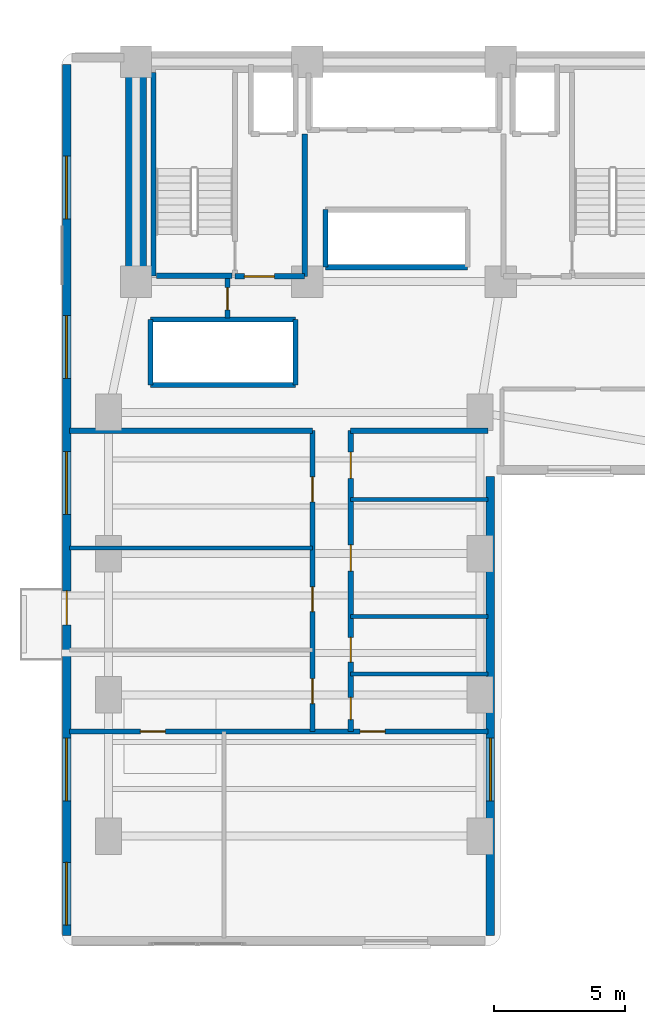
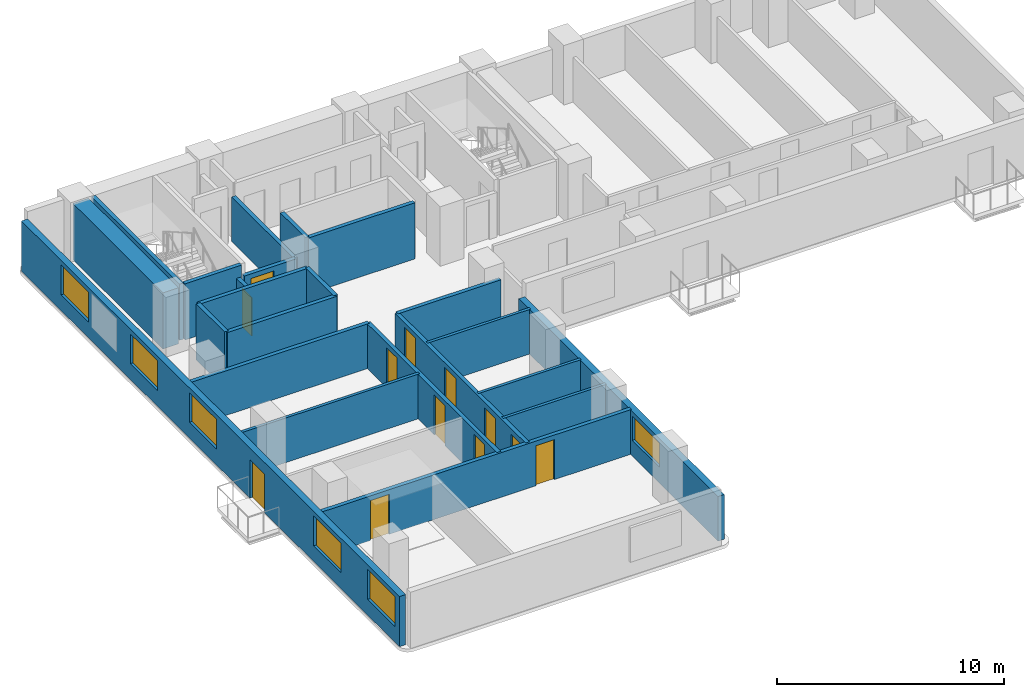
# One storey, part 10 of 17: 23 walls, 12 doors, 6 windows, 18 openings.
"""IFC4 building model written with IfcOpenShell, lengths in metres."""

from ifc_helpers import new_model, si_unit, direction, frame, frame_2d, origin, place, context, subcontext, project, spatial, rectangle, extrude, material, layer, layer_set, type_object, element, fill, save


model = new_model("IFC4")

# Units and contexts
model_context = context("Model", 3, precision=1e-05, world=origin(), true_north=direction((0.0, 1.0)))
body_context = subcontext(model_context, "Body", "Model", "MODEL_VIEW")
ifc_project = project(units=[si_unit("LENGTHUNIT", "METRE"), si_unit("AREAUNIT", "SQUARE_METRE"), si_unit("VOLUMEUNIT", "CUBIC_METRE"), si_unit("PLANEANGLEUNIT", "RADIAN"), si_unit("MASSUNIT", "GRAM", prefix="KILO")], contexts=[model_context])

# Site, building, storey
site_placement = place(None, origin())
site = spatial("IfcSite", under=ifc_project, at=site_placement, CompositionType="ELEMENT")
building_placement = place(site_placement, origin())
building = spatial("IfcBuilding", under=site, at=building_placement, Name="Kuzgunbayir Cultural Tower", CompositionType="ELEMENT")
storey_placement = place(building_placement, frame((0.0, 0.0, 56.39990234375)))
storey = spatial("IfcBuildingStorey", under=building, at=storey_placement, Name="L15", CompositionType="ELEMENT", Elevation=56.39990234375)

# Wall
ifc_material_1 = material(Name="Concrete C60/75", Category="concrete")
ifc_layer_1 = layer(ifc_material_1, 0.800048828125)
ifc_layer_set_1 = layer_set([ifc_layer_1], Name="Concrete C60/75")
wall_type_1 = type_object("IfcWallType", Name="WAL-CORE-800", PredefinedType="SHEAR", material=ifc_layer_set_1)
wall_1_placement = place(storey_placement, frame((6.449951171875, 33.800048828125, 0.0), z_axis=(0.0, 0.0, 1.0), x_axis=(0.0, 1.0, 0.0)))
element("IfcWall", 1, at=wall_1_placement, inside=storey, type_object=wall_type_1, Name="L15 T1 Core West Shear Wall", PredefinedType="SHEAR", context=body_context, shape_type="SweptSolid", body=[
    extrude(rectangle(XDim=7.949951171875, YDim=0.800048828125, at=frame_2d((3.97509765625, 0.0))), origin(), (0.0, 0.0, 1.0), 3.02001953125),
])

# Wall, openings, door, windows
ifc_material_2 = material(Name="Travertine Buff Ashlar", Category="masonry")
ifc_layer_2 = layer(ifc_material_2, 0.320068359375)
ifc_layer_set_2 = layer_set([ifc_layer_2], Name="Travertine Buff Ashlar")
wall_type_2 = type_object("IfcWallType", Name="WAL-EXT-STONE-320", PredefinedType="STANDARD", material=ifc_layer_set_2)
wall_2_placement = place(storey_placement, frame((3.800048828125, 42.10009765625, 0.0), z_axis=(0.0, 0.0, 1.0), x_axis=(0.0, -1.0, 0.0)))
wall_2 = element("IfcWall", 2, at=wall_2_placement, inside=storey, type_object=wall_type_2, Name="L15 Wing A West Limestone Wall", PredefinedType="STANDARD", context=body_context, shape_type="SweptSolid", body=[
    extrude(rectangle(XDim=33.300048828125, YDim=0.320068359375, at=frame_2d((16.64990234375, 0.0))), origin(), (0.0, 0.0, 1.0), 2.7001953125),
])
opening_1_placement = place(wall_2_placement, frame((20.1201171875, 0.0, 0.0)))
opening_1 = element("IfcOpeningElement", 3, at=opening_1_placement, cuts=wall_2, Name="Opening BD-13", PredefinedType="OPENING", context=body_context, shape_type="SweptSolid", body=[
    extrude(rectangle(XDim=1.300048828125, YDim=2.080078125, at=frame_2d((0.64990234375, 1.0400390625))), frame((0.0, 0.169921875, 0.0), z_axis=(0.0, -1.0, 0.0), x_axis=(1.0, 0.0, 0.0)), (0.0, 0.0, 1.0), 0.340087890625),
])
opening_2_placement = place(wall_2_placement, frame((30.5, 0.0, 0.85009765625)))
opening_2 = element("IfcOpeningElement", 4, at=opening_2_placement, cuts=wall_2, Name="Opening WO-24", PredefinedType="OPENING", context=body_context, shape_type="SweptSolid", body=[
    extrude(rectangle(XDim=2.39990234375, YDim=1.60009765625, at=frame_2d((1.199951171875, 0.800048828125))), frame((0.0, 0.169921875, 0.0), z_axis=(0.0, -1.0, 0.0), x_axis=(1.0, 0.0, 0.0)), (0.0, 0.0, 1.0), 0.340087890625),
])
opening_3_placement = place(wall_2_placement, frame((25.75, 0.0, 0.85009765625)))
opening_3 = element("IfcOpeningElement", 5, at=opening_3_placement, cuts=wall_2, Name="Opening WO-24", PredefinedType="OPENING", context=body_context, shape_type="SweptSolid", body=[
    extrude(rectangle(XDim=2.39990234375, YDim=1.60009765625, at=frame_2d((1.199951171875, 0.800048828125))), frame((0.0, 0.169921875, 0.0), z_axis=(0.0, -1.0, 0.0), x_axis=(1.0, 0.0, 0.0)), (0.0, 0.0, 1.0), 0.340087890625),
])
opening_4_placement = place(wall_2_placement, frame((14.800048828125, 0.0, 0.85009765625)))
opening_4 = element("IfcOpeningElement", 6, at=opening_4_placement, cuts=wall_2, Name="Opening WO-24", PredefinedType="OPENING", context=body_context, shape_type="SweptSolid", body=[
    extrude(rectangle(XDim=2.39990234375, YDim=1.60009765625, at=frame_2d((1.199951171875, 0.800048828125))), frame((0.0, 0.169921875, 0.0), z_axis=(0.0, -1.0, 0.0), x_axis=(1.0, 0.0, 0.0)), (0.0, 0.0, 1.0), 0.340087890625),
])
opening_5_placement = place(wall_2_placement, frame((9.60009765625, 0.0, 0.85009765625)))
opening_5 = element("IfcOpeningElement", 7, at=opening_5_placement, cuts=wall_2, Name="Opening WO-24", PredefinedType="OPENING", context=body_context, shape_type="SweptSolid", body=[
    extrude(rectangle(XDim=2.39990234375, YDim=1.60009765625, at=frame_2d((1.199951171875, 0.800048828125))), frame((0.0, 0.169921875, 0.0), z_axis=(0.0, -1.0, 0.0), x_axis=(1.0, 0.0, 0.0)), (0.0, 0.0, 1.0), 0.340087890625),
])
opening_6_placement = place(wall_2_placement, frame((3.5, 0.0, 0.85009765625)))
opening_6 = element("IfcOpeningElement", 8, at=opening_6_placement, cuts=wall_2, Name="Opening WO-24", PredefinedType="OPENING", context=body_context, shape_type="SweptSolid", body=[
    extrude(rectangle(XDim=2.39990234375, YDim=1.60009765625, at=frame_2d((1.199951171875, 0.800048828125))), frame((0.0, 0.169921875, 0.0), z_axis=(0.0, -1.0, 0.0), x_axis=(1.0, 0.0, 0.0)), (0.0, 0.0, 1.0), 0.340087890625),
])
ifc_material_3 = material(Name="Thermally Broken Glazed Aluminium", Category="aluminium")
door_type_1 = type_object("IfcDoorType", Name="DR-BALCONY-135", OperationType="SLIDING_TO_LEFT", PredefinedType="DOOR", material=ifc_material_3)
door_1_placement = place(opening_1_placement, origin())
door_1 = element("IfcDoor", 9, at=door_1_placement, inside=storey, type_object=door_type_1, Name="L15 West Balcony Sliding Door BAL-L15-WA2", OperationType="SLIDING_TO_LEFT", OverallHeight=2.080078125, OverallWidth=1.300048828125, PredefinedType="DOOR", context=body_context, shape_type="SweptSolid", body=[
    extrude(rectangle(XDim=1.300048828125, YDim=2.080078125, at=frame_2d((0.64990234375, 1.0400390625))), frame((0.0, 0.02490234375, 0.0), z_axis=(0.0, -1.0, 0.0), x_axis=(1.0, 0.0, 0.0)), (0.0, 0.0, 1.0), 0.050048828125),
])
fill(opening_1, door_1)
ifc_material_4 = material(Name="Solar-Control Triple Glazing", Category="glass")
window_type = type_object("IfcWindowType", Name="WIN-OFFICE-24", PartitioningType="SINGLE_PANEL", PredefinedType="WINDOW", material=ifc_material_4)
window_1_placement = place(opening_2_placement, origin())
window_1 = element("IfcWindow", 10, at=window_1_placement, inside=storey, type_object=window_type, Name="L15 WAW Facade Window 1", OverallHeight=1.60009765625, OverallWidth=2.39990234375, PartitioningType="SINGLE_PANEL", PredefinedType="WINDOW", context=body_context, shape_type="SweptSolid", body=[
    extrude(rectangle(XDim=2.39990234375, YDim=1.60009765625, at=frame_2d((1.199951171875, 0.800048828125))), frame((0.0, 0.030029296875, 0.0), z_axis=(0.0, -1.0, 0.0), x_axis=(1.0, 0.0, 0.0)), (0.0, 0.0, 1.0), 0.06005859375),
])
fill(opening_2, window_1)
window_2_placement = place(opening_3_placement, origin())
window_2 = element("IfcWindow", 11, at=window_2_placement, inside=storey, type_object=window_type, Name="L15 WAW Facade Window 2", OverallHeight=1.60009765625, OverallWidth=2.39990234375, PartitioningType="SINGLE_PANEL", PredefinedType="WINDOW", context=body_context, shape_type="SweptSolid", body=[
    extrude(rectangle(XDim=2.39990234375, YDim=1.60009765625, at=frame_2d((1.199951171875, 0.800048828125))), frame((0.0, 0.030029296875, 0.0), z_axis=(0.0, -1.0, 0.0), x_axis=(1.0, 0.0, 0.0)), (0.0, 0.0, 1.0), 0.06005859375),
])
fill(opening_3, window_2)
window_3_placement = place(opening_4_placement, origin())
window_3 = element("IfcWindow", 12, at=window_3_placement, inside=storey, type_object=window_type, Name="L15 WAW Facade Window 3", OverallHeight=1.60009765625, OverallWidth=2.39990234375, PartitioningType="SINGLE_PANEL", PredefinedType="WINDOW", context=body_context, shape_type="SweptSolid", body=[
    extrude(rectangle(XDim=2.39990234375, YDim=1.60009765625, at=frame_2d((1.199951171875, 0.800048828125))), frame((0.0, 0.030029296875, 0.0), z_axis=(0.0, -1.0, 0.0), x_axis=(1.0, 0.0, 0.0)), (0.0, 0.0, 1.0), 0.06005859375),
])
fill(opening_4, window_3)
window_4_placement = place(opening_5_placement, origin())
window_4 = element("IfcWindow", 13, at=window_4_placement, inside=storey, type_object=window_type, Name="L15 WAW Facade Window 4", OverallHeight=1.60009765625, OverallWidth=2.39990234375, PartitioningType="SINGLE_PANEL", PredefinedType="WINDOW", context=body_context, shape_type="SweptSolid", body=[
    extrude(rectangle(XDim=2.39990234375, YDim=1.60009765625, at=frame_2d((1.199951171875, 0.800048828125))), frame((0.0, 0.030029296875, 0.0), z_axis=(0.0, -1.0, 0.0), x_axis=(1.0, 0.0, 0.0)), (0.0, 0.0, 1.0), 0.06005859375),
])
fill(opening_5, window_4)
window_5_placement = place(opening_6_placement, origin())
window_5 = element("IfcWindow", 14, at=window_5_placement, inside=storey, type_object=window_type, Name="L15 WAW Facade Window 5", OverallHeight=1.60009765625, OverallWidth=2.39990234375, PartitioningType="SINGLE_PANEL", PredefinedType="WINDOW", context=body_context, shape_type="SweptSolid", body=[
    extrude(rectangle(XDim=2.39990234375, YDim=1.60009765625, at=frame_2d((1.199951171875, 0.800048828125))), frame((0.0, 0.030029296875, 0.0), z_axis=(0.0, -1.0, 0.0), x_axis=(1.0, 0.0, 0.0)), (0.0, 0.0, 1.0), 0.06005859375),
])
fill(opening_6, window_5)

# Wall, opening, window
wall_3_placement = place(storey_placement, frame((20.0, 8.800048828125, 0.0), z_axis=(0.0, 0.0, 1.0), x_axis=(0.0, 1.0, 0.0)))
wall_3 = element("IfcWall", 15, at=wall_3_placement, inside=storey, type_object=wall_type_2, Name="L15 Wing A East Limestone Wall", PredefinedType="STANDARD", context=body_context, shape_type="SweptSolid", body=[
    extrude(rectangle(XDim=17.550048828125, YDim=0.320068359375, at=frame_2d((8.77490234375, 0.0))), origin(), (0.0, 0.0, 1.0), 2.400146484375),
])
opening_7_placement = place(wall_3_placement, frame((5.14990234375, 0.0, 0.85009765625)))
opening_7 = element("IfcOpeningElement", 16, at=opening_7_placement, cuts=wall_3, Name="Opening WO-24", PredefinedType="OPENING", context=body_context, shape_type="SweptSolid", body=[
    extrude(rectangle(XDim=2.39990234375, YDim=1.300048828125, at=frame_2d((1.199951171875, 0.64990234375))), frame((0.0, 0.169921875, 0.0), z_axis=(0.0, -1.0, 0.0), x_axis=(1.0, 0.0, 0.0)), (0.0, 0.0, 1.0), 0.340087890625),
])
window_6_placement = place(opening_7_placement, origin())
window_6 = element("IfcWindow", 17, at=window_6_placement, inside=storey, type_object=window_type, Name="L15 WAE Facade Window 6", OverallHeight=1.300048828125, OverallWidth=2.39990234375, PartitioningType="SINGLE_PANEL", PredefinedType="WINDOW", context=body_context, shape_type="SweptSolid", body=[
    extrude(rectangle(XDim=2.39990234375, YDim=1.300048828125, at=frame_2d((1.199951171875, 0.64990234375))), frame((0.0, 0.030029296875, 0.0), z_axis=(0.0, -1.0, 0.0), x_axis=(1.0, 0.0, 0.0)), (0.0, 0.0, 1.0), 0.06005859375),
])
fill(opening_7, window_6)

# Walls
ifc_material_5 = material(Name="Acoustic Double-Stud Drywall", Category="gypsum")
ifc_layer_3 = layer(ifc_material_5, 0.14990234375)
ifc_layer_set_3 = layer_set([ifc_layer_3], Name="Acoustic Double-Stud Drywall")
wall_type_3 = type_object("IfcWallType", Name="WAL-PART-ACOUSTIC-150", PredefinedType="PARTITIONING", material=ifc_layer_set_3)
wall_4_placement = place(storey_placement, frame((3.89990234375, 23.6201171875, 0.0), z_axis=(0.0, 0.0, 1.0), x_axis=(1.0, 0.0, 0.0)))
element("IfcWall", 18, at=wall_4_placement, inside=storey, type_object=wall_type_3, Name="L15 West Suite Partition 2", PredefinedType="PARTITIONING", context=body_context, shape_type="SweptSolid", body=[
    extrude(rectangle(XDim=9.300048828125, YDim=0.14990234375, at=frame_2d((4.64990234375, 0.0))), origin(), (0.0, 0.0, 1.0), 2.400146484375),
])
wall_5_placement = place(storey_placement, frame((14.659912109375, 25.469970703125, 0.0), z_axis=(0.0, 0.0, 1.0), x_axis=(1.0, 0.0, 0.0)))
element("IfcWall", 19, at=wall_5_placement, inside=storey, type_object=wall_type_3, Name="L15 East Studio Divider 1", PredefinedType="PARTITIONING", context=body_context, shape_type="SweptSolid", body=[
    extrude(rectangle(XDim=5.239990234375, YDim=0.14990234375, at=frame_2d((2.6201171875, 0.0))), origin(), (0.0, 0.0, 1.0), 2.400146484375),
])
ifc_material_6 = material(Name="Aerated Concrete Blockwork", Category="masonry")
ifc_layer_4 = layer(ifc_material_6, 0.199951171875)
ifc_layer_set_4 = layer_set([ifc_layer_4], Name="Aerated Concrete Blockwork")
wall_type_4 = type_object("IfcWallType", Name="WAL-PART-FIRE-200", PredefinedType="PARTITIONING", material=ifc_layer_set_4)
wall_6_placement = place(storey_placement, frame((12.89990234375, 34.0, 0.0), z_axis=(0.0, 0.0, 1.0), x_axis=(0.0, 1.0, 0.0)))
element("IfcWall", 20, at=wall_6_placement, inside=storey, type_object=wall_type_4, Name="L15 FFL-1 Lobby East Fire Wall", PredefinedType="PARTITIONING", context=body_context, shape_type="SweptSolid", body=[
    extrude(rectangle(XDim=5.449951171875, YDim=0.199951171875, at=frame_2d((2.72509765625, 0.0))), origin(), (0.0, 0.0, 1.0), 2.400146484375),
])

# Wall, opening, door
wall_7_placement = place(storey_placement, frame((10.239990234375, 34.0, 0.0), z_axis=(0.0, 0.0, 1.0), x_axis=(1.0, 0.0, 0.0)))
wall_7 = element("IfcWall", 21, at=wall_7_placement, inside=storey, type_object=wall_type_4, Name="L15 FFL-1 Lobby South Fire Wall", PredefinedType="PARTITIONING", context=body_context, shape_type="SweptSolid", body=[
    extrude(rectangle(XDim=2.659912109375, YDim=0.199951171875, at=frame_2d((1.330078125, 0.0))), origin(), (0.0, 0.0, 1.0), 2.400146484375),
])
opening_8_placement = place(wall_7_placement, frame((0.35009765625, 0.0, 0.0)))
opening_8 = element("IfcOpeningElement", 22, at=opening_8_placement, cuts=wall_7, Name="Opening DR-FFL-90", PredefinedType="OPENING", context=body_context, shape_type="SweptSolid", body=[
    extrude(rectangle(XDim=1.14990234375, YDim=2.14990234375, at=frame_2d((0.574951171875, 1.074951171875))), frame((0.0, 0.10986328125, 0.0), z_axis=(0.0, -1.0, 0.0), x_axis=(1.0, 0.0, 0.0)), (0.0, 0.0, 1.0), 0.219970703125),
])
ifc_material_7 = material(Name="Steel S355J2", Category="steel")
door_type_2 = type_object("IfcDoorType", Name="DR-FFL-90", OperationType="NOTDEFINED", PredefinedType="DOOR", material=ifc_material_7)
door_2_placement = place(opening_8_placement, origin())
door_2 = element("IfcDoor", 23, at=door_2_placement, inside=storey, type_object=door_type_2, Name="L15 Firefighting Lobby 1 Door", OperationType="SINGLE_SWING_LEFT", OverallHeight=2.14990234375, OverallWidth=1.14990234375, PredefinedType="DOOR", context=body_context, shape_type="SweptSolid", body=[
    extrude(rectangle(XDim=1.14990234375, YDim=2.14990234375, at=frame_2d((0.574951171875, 1.074951171875))), frame((0.0, 0.02490234375, 0.0), z_axis=(0.0, -1.0, 0.0), x_axis=(1.0, 0.0, 0.0)), (0.0, 0.0, 1.0), 0.050048828125),
])
fill(opening_8, door_2)

wall_8_placement = place(storey_placement, frame((9.949951171875, 32.39990234375, 0.0), z_axis=(0.0, 0.0, 1.0), x_axis=(0.0, 1.0, 0.0)))
wall_8 = element("IfcWall", 24, at=wall_8_placement, inside=storey, type_object=wall_type_4, Name="L15 West Core Service Closet Wall", PredefinedType="PARTITIONING", context=body_context, shape_type="SweptSolid", body=[
    extrude(rectangle(XDim=1.52001953125, YDim=0.199951171875, at=frame_2d((0.760009765625, 0.0))), origin(), (0.0, 0.0, 1.0), 2.400146484375),
])
opening_9_placement = place(wall_8_placement, frame((0.320068359375, 0.0, 0.0)))
opening_9 = element("IfcOpeningElement", 25, at=opening_9_placement, cuts=wall_8, Name="Opening DR-RSR-60", PredefinedType="OPENING", context=body_context, shape_type="SweptSolid", body=[
    extrude(rectangle(XDim=0.85009765625, YDim=2.050048828125, at=frame_2d((0.425048828125, 1.02490234375))), frame((0.0, 0.10986328125, 0.0), z_axis=(0.0, -1.0, 0.0), x_axis=(1.0, 0.0, 0.0)), (0.0, 0.0, 1.0), 0.219970703125),
])
ifc_material_8 = material(Name="Steel Access Leaf", Category="steel")
door_type_3 = type_object("IfcDoorType", Name="DR-RISER-60", OperationType="NOTDEFINED", PredefinedType="DOOR", material=ifc_material_8)
door_3_placement = place(opening_9_placement, origin())
door_3 = element("IfcDoor", 26, at=door_3_placement, inside=storey, type_object=door_type_3, Name="L15 Cleaner Utility Store Door", OperationType="SINGLE_SWING_LEFT", OverallHeight=2.050048828125, OverallWidth=0.85009765625, PredefinedType="DOOR", context=body_context, shape_type="SweptSolid", body=[
    extrude(rectangle(XDim=0.85009765625, YDim=2.050048828125, at=frame_2d((0.425048828125, 1.02490234375))), frame((0.0, 0.02490234375, 0.0), z_axis=(0.0, -1.0, 0.0), x_axis=(1.0, 0.0, 0.0)), (0.0, 0.0, 1.0), 0.050048828125),
])
fill(opening_9, door_3)

# Wall, openings, doors
wall_9_placement = place(storey_placement, frame((13.199951171875, 16.60009765625, 0.0), z_axis=(0.0, 0.0, 1.0), x_axis=(0.0, 1.0, 0.0)))
wall_9 = element("IfcWall", 27, at=wall_9_placement, inside=storey, type_object=wall_type_4, Name="L15 Wing A West Corridor Wall", PredefinedType="PARTITIONING", context=body_context, shape_type="SweptSolid", body=[
    extrude(rectangle(XDim=11.5, YDim=0.199951171875, at=frame_2d((5.75, 0.0))), origin(), (0.0, 0.0, 1.0), 2.400146484375),
])
opening_10_placement = place(wall_9_placement, frame((1.070068359375, 0.0, 0.0)))
opening_10 = element("IfcOpeningElement", 28, at=opening_10_placement, cuts=wall_9, Name="Opening DI-90", PredefinedType="OPENING", context=body_context, shape_type="SweptSolid", body=[
    extrude(rectangle(XDim=0.949951171875, YDim=2.14990234375, at=frame_2d((0.47509765625, 1.074951171875))), frame((0.0, 0.10986328125, 0.0), z_axis=(0.0, -1.0, 0.0), x_axis=(1.0, 0.0, 0.0)), (0.0, 0.0, 1.0), 0.219970703125),
])
opening_11_placement = place(wall_9_placement, frame((4.580078125, 0.0, 0.0)))
opening_11 = element("IfcOpeningElement", 29, at=opening_11_placement, cuts=wall_9, Name="Opening DI-90", PredefinedType="OPENING", context=body_context, shape_type="SweptSolid", body=[
    extrude(rectangle(XDim=0.949951171875, YDim=2.14990234375, at=frame_2d((0.47509765625, 1.074951171875))), frame((0.0, 0.10986328125, 0.0), z_axis=(0.0, -1.0, 0.0), x_axis=(1.0, 0.0, 0.0)), (0.0, 0.0, 1.0), 0.219970703125),
])
opening_12_placement = place(wall_9_placement, frame((8.780029296875, 0.0, 0.0)))
opening_12 = element("IfcOpeningElement", 30, at=opening_12_placement, cuts=wall_9, Name="Opening DI-90", PredefinedType="OPENING", context=body_context, shape_type="SweptSolid", body=[
    extrude(rectangle(XDim=0.949951171875, YDim=2.14990234375, at=frame_2d((0.47509765625, 1.074951171875))), frame((0.0, 0.10986328125, 0.0), z_axis=(0.0, -1.0, 0.0), x_axis=(1.0, 0.0, 0.0)), (0.0, 0.0, 1.0), 0.219970703125),
])
ifc_material_9 = material(Name="Veneered Oak Single Leaf", Category="wood")
door_type_4 = type_object("IfcDoorType", Name="DR-INT-90", OperationType="NOTDEFINED", PredefinedType="DOOR", material=ifc_material_9)
door_4_placement = place(opening_10_placement, origin())
door_4 = element("IfcDoor", 31, at=door_4_placement, inside=storey, type_object=door_type_4, Name="L15 Art Publication Salon W1 Door", OperationType="SINGLE_SWING_RIGHT", OverallHeight=2.14990234375, OverallWidth=0.949951171875, PredefinedType="DOOR", context=body_context, shape_type="SweptSolid", body=[
    extrude(rectangle(XDim=0.949951171875, YDim=2.14990234375, at=frame_2d((0.47509765625, 1.074951171875))), frame((0.0, 0.02490234375, 0.0), z_axis=(0.0, -1.0, 0.0), x_axis=(1.0, 0.0, 0.0)), (0.0, 0.0, 1.0), 0.050048828125),
])
fill(opening_10, door_4)
door_5_placement = place(opening_11_placement, origin())
door_5 = element("IfcDoor", 32, at=door_5_placement, inside=storey, type_object=door_type_4, Name="L15 Art Publication Salon W2 Door", OperationType="SINGLE_SWING_LEFT", OverallHeight=2.14990234375, OverallWidth=0.949951171875, PredefinedType="DOOR", context=body_context, shape_type="SweptSolid", body=[
    extrude(rectangle(XDim=0.949951171875, YDim=2.14990234375, at=frame_2d((0.47509765625, 1.074951171875))), frame((0.0, 0.02490234375, 0.0), z_axis=(0.0, -1.0, 0.0), x_axis=(1.0, 0.0, 0.0)), (0.0, 0.0, 1.0), 0.050048828125),
])
fill(opening_11, door_5)
door_6_placement = place(opening_12_placement, origin())
door_6 = element("IfcDoor", 33, at=door_6_placement, inside=storey, type_object=door_type_4, Name="L15 Fellows Reading Lounge W3 Door", OperationType="SINGLE_SWING_RIGHT", OverallHeight=2.14990234375, OverallWidth=0.949951171875, PredefinedType="DOOR", context=body_context, shape_type="SweptSolid", body=[
    extrude(rectangle(XDim=0.949951171875, YDim=2.14990234375, at=frame_2d((0.47509765625, 1.074951171875))), frame((0.0, 0.02490234375, 0.0), z_axis=(0.0, -1.0, 0.0), x_axis=(1.0, 0.0, 0.0)), (0.0, 0.0, 1.0), 0.050048828125),
])
fill(opening_12, door_6)

wall_10_placement = place(storey_placement, frame((14.659912109375, 16.60009765625, 0.0), z_axis=(0.0, 0.0, 1.0), x_axis=(0.0, 1.0, 0.0)))
wall_10 = element("IfcWall", 34, at=wall_10_placement, inside=storey, type_object=wall_type_4, Name="L15 Wing A East Corridor Wall", PredefinedType="PARTITIONING", context=body_context, shape_type="SweptSolid", body=[
    extrude(rectangle(XDim=11.5, YDim=0.199951171875, at=frame_2d((5.75, 0.0))), origin(), (0.0, 0.0, 1.0), 2.400146484375),
])
opening_13_placement = place(wall_10_placement, frame((0.449951171875, 0.0, 0.0)))
opening_13 = element("IfcOpeningElement", 35, at=opening_13_placement, cuts=wall_10, Name="Opening DW-85", PredefinedType="OPENING", context=body_context, shape_type="SweptSolid", body=[
    extrude(rectangle(XDim=0.85009765625, YDim=2.10009765625, at=frame_2d((0.425048828125, 1.050048828125))), frame((0.0, 0.10986328125, 0.0), z_axis=(0.0, -1.0, 0.0), x_axis=(1.0, 0.0, 0.0)), (0.0, 0.0, 1.0), 0.219970703125),
])
opening_14_placement = place(wall_10_placement, frame((2.64990234375, 0.0, 0.0)))
opening_14 = element("IfcOpeningElement", 36, at=opening_14_placement, cuts=wall_10, Name="Opening DW-95", PredefinedType="OPENING", context=body_context, shape_type="SweptSolid", body=[
    extrude(rectangle(XDim=0.949951171875, YDim=2.10009765625, at=frame_2d((0.47509765625, 1.050048828125))), frame((0.0, 0.10986328125, 0.0), z_axis=(0.0, -1.0, 0.0), x_axis=(1.0, 0.0, 0.0)), (0.0, 0.0, 1.0), 0.219970703125),
])
opening_15_placement = place(wall_10_placement, frame((6.1298828125, 0.0, 0.0)))
opening_15 = element("IfcOpeningElement", 37, at=opening_15_placement, cuts=wall_10, Name="Opening DI-100", PredefinedType="OPENING", context=body_context, shape_type="SweptSolid", body=[
    extrude(rectangle(XDim=1.0, YDim=2.14990234375, at=frame_2d((0.5, 1.074951171875))), frame((0.0, 0.10986328125, 0.0), z_axis=(0.0, -1.0, 0.0), x_axis=(1.0, 0.0, 0.0)), (0.0, 0.0, 1.0), 0.219970703125),
])
opening_16_placement = place(wall_10_placement, frame((9.679931640625, 0.0, 0.0)))
opening_16 = element("IfcOpeningElement", 38, at=opening_16_placement, cuts=wall_10, Name="Opening DI-100", PredefinedType="OPENING", context=body_context, shape_type="SweptSolid", body=[
    extrude(rectangle(XDim=1.0, YDim=2.14990234375, at=frame_2d((0.5, 1.074951171875))), frame((0.0, 0.10986328125, 0.0), z_axis=(0.0, -1.0, 0.0), x_axis=(1.0, 0.0, 0.0)), (0.0, 0.0, 1.0), 0.219970703125),
])
door_type_5 = type_object("IfcDoorType", Name="DR-INT-100", OperationType="NOTDEFINED", PredefinedType="DOOR", material=ifc_material_9)
door_7_placement = place(opening_15_placement, origin())
door_7 = element("IfcDoor", 39, at=door_7_placement, inside=storey, type_object=door_type_5, Name="L15 East Culinary Tasting Pantry 1 Door", OperationType="SINGLE_SWING_LEFT", OverallHeight=2.14990234375, OverallWidth=1.0, PredefinedType="DOOR", context=body_context, shape_type="SweptSolid", body=[
    extrude(rectangle(XDim=1.0, YDim=2.14990234375, at=frame_2d((0.5, 1.074951171875))), frame((0.0, 0.02490234375, 0.0), z_axis=(0.0, -1.0, 0.0), x_axis=(1.0, 0.0, 0.0)), (0.0, 0.0, 1.0), 0.050048828125),
])
fill(opening_15, door_7)
door_8_placement = place(opening_16_placement, origin())
door_8 = element("IfcDoor", 40, at=door_8_placement, inside=storey, type_object=door_type_5, Name="L15 East Fellows Reading Lounge 2 Door", OperationType="SINGLE_SWING_RIGHT", OverallHeight=2.14990234375, OverallWidth=1.0, PredefinedType="DOOR", context=body_context, shape_type="SweptSolid", body=[
    extrude(rectangle(XDim=1.0, YDim=2.14990234375, at=frame_2d((0.5, 1.074951171875))), frame((0.0, 0.02490234375, 0.0), z_axis=(0.0, -1.0, 0.0), x_axis=(1.0, 0.0, 0.0)), (0.0, 0.0, 1.0), 0.050048828125),
])
fill(opening_16, door_8)
ifc_material_10 = material(Name="Laminate Moisture-Resistant Leaf", Category="wood")
door_type_6 = type_object("IfcDoorType", Name="DR-WET-85", OperationType="NOTDEFINED", PredefinedType="DOOR", material=ifc_material_10)
door_9_placement = place(opening_13_placement, origin())
door_9 = element("IfcDoor", 41, at=door_9_placement, inside=storey, type_object=door_type_6, Name="L15 Restroom Door", OperationType="SINGLE_SWING_LEFT", OverallHeight=2.10009765625, OverallWidth=0.85009765625, PredefinedType="DOOR", context=body_context, shape_type="SweptSolid", body=[
    extrude(rectangle(XDim=0.85009765625, YDim=2.10009765625, at=frame_2d((0.425048828125, 1.050048828125))), frame((0.0, 0.02490234375, 0.0), z_axis=(0.0, -1.0, 0.0), x_axis=(1.0, 0.0, 0.0)), (0.0, 0.0, 1.0), 0.050048828125),
])
fill(opening_13, door_9)
door_type_7 = type_object("IfcDoorType", Name="DR-WET-95", OperationType="NOTDEFINED", PredefinedType="DOOR", material=ifc_material_10)
door_10_placement = place(opening_14_placement, origin())
door_10 = element("IfcDoor", 42, at=door_10_placement, inside=storey, type_object=door_type_7, Name="L15 Accessible WC Door", OperationType="SINGLE_SWING_RIGHT", OverallHeight=2.10009765625, OverallWidth=0.949951171875, PredefinedType="DOOR", context=body_context, shape_type="SweptSolid", body=[
    extrude(rectangle(XDim=0.949951171875, YDim=2.10009765625, at=frame_2d((0.47509765625, 1.050048828125))), frame((0.0, 0.02490234375, 0.0), z_axis=(0.0, -1.0, 0.0), x_axis=(1.0, 0.0, 0.0)), (0.0, 0.0, 1.0), 0.050048828125),
])
fill(opening_14, door_10)

wall_11_placement = place(storey_placement, frame((3.89990234375, 16.60009765625, 0.0), z_axis=(0.0, 0.0, 1.0), x_axis=(1.0, 0.0, 0.0)))
wall_11 = element("IfcWall", 43, at=wall_11_placement, inside=storey, type_object=wall_type_4, Name="L15 South Cross Partition", PredefinedType="PARTITIONING", context=body_context, shape_type="SweptSolid", body=[
    extrude(rectangle(XDim=16.0, YDim=0.199951171875, at=frame_2d((8.0, 0.0))), origin(), (0.0, 0.0, 1.0), 2.400146484375),
])
opening_17_placement = place(wall_11_placement, frame((2.719970703125, 0.0, 0.0)))
opening_17 = element("IfcOpeningElement", 44, at=opening_17_placement, cuts=wall_11, Name="Opening DI-90", PredefinedType="OPENING", context=body_context, shape_type="SweptSolid", body=[
    extrude(rectangle(XDim=0.949951171875, YDim=2.14990234375, at=frame_2d((0.47509765625, 1.074951171875))), frame((0.0, 0.10986328125, 0.0), z_axis=(0.0, -1.0, 0.0), x_axis=(1.0, 0.0, 0.0)), (0.0, 0.0, 1.0), 0.219970703125),
])
opening_18_placement = place(wall_11_placement, frame((11.1201171875, 0.0, 0.0)))
opening_18 = element("IfcOpeningElement", 45, at=opening_18_placement, cuts=wall_11, Name="Opening DI-90", PredefinedType="OPENING", context=body_context, shape_type="SweptSolid", body=[
    extrude(rectangle(XDim=0.949951171875, YDim=2.14990234375, at=frame_2d((0.47509765625, 1.074951171875))), frame((0.0, 0.10986328125, 0.0), z_axis=(0.0, -1.0, 0.0), x_axis=(1.0, 0.0, 0.0)), (0.0, 0.0, 1.0), 0.219970703125),
])
door_11_placement = place(opening_17_placement, origin())
door_11 = element("IfcDoor", 46, at=door_11_placement, inside=storey, type_object=door_type_4, Name="L15 South Suite S1 Door", OperationType="SINGLE_SWING_LEFT", OverallHeight=2.14990234375, OverallWidth=0.949951171875, PredefinedType="DOOR", context=body_context, shape_type="SweptSolid", body=[
    extrude(rectangle(XDim=0.949951171875, YDim=2.14990234375, at=frame_2d((0.47509765625, 1.074951171875))), frame((0.0, 0.02490234375, 0.0), z_axis=(0.0, -1.0, 0.0), x_axis=(1.0, 0.0, 0.0)), (0.0, 0.0, 1.0), 0.050048828125),
])
fill(opening_17, door_11)
door_12_placement = place(opening_18_placement, origin())
door_12 = element("IfcDoor", 47, at=door_12_placement, inside=storey, type_object=door_type_4, Name="L15 South Suite S2 Door", OperationType="SINGLE_SWING_RIGHT", OverallHeight=2.14990234375, OverallWidth=0.949951171875, PredefinedType="DOOR", context=body_context, shape_type="SweptSolid", body=[
    extrude(rectangle(XDim=0.949951171875, YDim=2.14990234375, at=frame_2d((0.47509765625, 1.074951171875))), frame((0.0, 0.02490234375, 0.0), z_axis=(0.0, -1.0, 0.0), x_axis=(1.0, 0.0, 0.0)), (0.0, 0.0, 1.0), 0.050048828125),
])
fill(opening_18, door_12)

# Walls
wall_12_placement = place(storey_placement, frame((3.89990234375, 28.10009765625, 0.0), z_axis=(0.0, 0.0, 1.0), x_axis=(1.0, 0.0, 0.0)))
element("IfcWall", 48, at=wall_12_placement, inside=storey, type_object=wall_type_4, Name="L15 North West Partition", PredefinedType="PARTITIONING", context=body_context, shape_type="SweptSolid", body=[
    extrude(rectangle(XDim=9.300048828125, YDim=0.199951171875, at=frame_2d((4.64990234375, 0.0))), origin(), (0.0, 0.0, 1.0), 2.400146484375),
])
wall_13_placement = place(storey_placement, frame((14.659912109375, 28.10009765625, 0.0), z_axis=(0.0, 0.0, 1.0), x_axis=(1.0, 0.0, 0.0)))
element("IfcWall", 49, at=wall_13_placement, inside=storey, type_object=wall_type_4, Name="L15 North East Partition", PredefinedType="PARTITIONING", context=body_context, shape_type="SweptSolid", body=[
    extrude(rectangle(XDim=5.239990234375, YDim=0.199951171875, at=frame_2d((2.6201171875, 0.0))), origin(), (0.0, 0.0, 1.0), 2.400146484375),
])
ifc_material_11 = material(Name="Moisture-Resistant Tile Partition", Category="gypsum")
ifc_layer_5 = layer(ifc_material_11, 0.14990234375)
ifc_layer_set_5 = layer_set([ifc_layer_5], Name="Moisture-Resistant Tile Partition")
wall_type_5 = type_object("IfcWallType", Name="WAL-PART-WET-150", PredefinedType="PARTITIONING", material=ifc_layer_set_5)
for number, where, z_axis, x_axis, name in (
    (50, (14.659912109375, 18.800048828125, 0.0), (0.0, 0.0, 1.0), (1.0, 0.0, 0.0), "L15 WC North Wall"),
    (51, (14.659912109375, 21.0, 0.0), (0.0, 0.0, 1.0), (1.0, 0.0, 0.0), "L15 Accessible WC North Wall"),
):
    element("IfcWall", number, at=place(storey_placement, frame(where, z_axis=z_axis, x_axis=x_axis)), inside=storey, type_object=wall_type_5, Name=name, PredefinedType="PARTITIONING", context=body_context, shape_type="SweptSolid", body=[
        extrude(rectangle(XDim=5.239990234375, YDim=0.14990234375, at=frame_2d((2.6201171875, 0.0))), origin(), (0.0, 0.0, 1.0), 2.400146484375),
    ])
ifc_material_12 = material(Name="Concrete C40/50", Category="concrete")
ifc_layer_6 = layer(ifc_material_12, 0.199951171875)
ifc_layer_set_6 = layer_set([ifc_layer_6], Name="Concrete C40/50")
wall_type_6 = type_object("IfcWallType", Name="WAL-SHAFT-200", PredefinedType="MOVABLE", material=ifc_layer_set_6)
for number, where, z_axis, x_axis, name in (
    (52, (7.0, 29.85009765625, 0.0), (0.0, 0.0, 1.0), (1.0, 0.0, 0.0), "L15 High-Rise Lift Shaft South Wall"),
    (53, (7.0, 32.35009765625, 0.0), (0.0, 0.0, 1.0), (1.0, 0.0, 0.0), "L15 High-Rise Lift Shaft North Wall"),
):
    element("IfcWall", number, at=place(storey_placement, frame(where, z_axis=z_axis, x_axis=x_axis)), inside=storey, type_object=wall_type_6, Name=name, PredefinedType="MOVABLE", context=body_context, shape_type="SweptSolid", body=[
        extrude(rectangle(XDim=5.550048828125, YDim=0.199951171875, at=frame_2d((2.77490234375, 0.0))), origin(), (0.0, 0.0, 1.0), 3.02001953125),
    ])
for number, where, z_axis, x_axis, name in (
    (54, (7.0, 29.85009765625, 0.0), (0.0, 0.0, 1.0), (0.0, 1.0, 0.0), "L15 High-Rise Lift Shaft West Wall"),
    (55, (12.550048828125, 29.85009765625, 0.0), (0.0, 0.0, 1.0), (0.0, 1.0, 0.0), "L15 High-Rise Lift Shaft East Wall"),
):
    element("IfcWall", number, at=place(storey_placement, frame(where, z_axis=z_axis, x_axis=x_axis)), inside=storey, type_object=wall_type_6, Name=name, PredefinedType="MOVABLE", context=body_context, shape_type="SweptSolid", body=[
        extrude(rectangle(XDim=2.5, YDim=0.199951171875, at=frame_2d((1.25, 0.0))), origin(), (0.0, 0.0, 1.0), 3.02001953125),
    ])
wall_14_placement = place(storey_placement, frame((13.699951171875, 34.35009765625, 0.0), z_axis=(0.0, 0.0, 1.0), x_axis=(1.0, 0.0, 0.0)))
element("IfcWall", 56, at=wall_14_placement, inside=storey, type_object=wall_type_6, Name="L15 Mid-Rise Lift Front Wall", PredefinedType="MOVABLE", context=body_context, shape_type="SweptSolid", body=[
    extrude(rectangle(XDim=5.420166015625, YDim=0.199951171875, at=frame_2d((2.7099609375, 0.0))), origin(), (0.0, 0.0, 1.0), 3.02001953125),
])
wall_15_placement = place(storey_placement, frame((13.699951171875, 34.35009765625, 0.0), z_axis=(0.0, 0.0, 1.0), x_axis=(0.0, 1.0, 0.0)))
element("IfcWall", 57, at=wall_15_placement, inside=storey, type_object=wall_type_6, Name="L15 Mid-Rise Lift Shaft West Wall", PredefinedType="MOVABLE", context=body_context, shape_type="SweptSolid", body=[
    extrude(rectangle(XDim=2.199951171875, YDim=0.199951171875, at=frame_2d((1.10009765625, 0.0))), origin(), (0.0, 0.0, 1.0), 3.02001953125),
])
ifc_layer_7 = layer(ifc_material_12, 0.199951171875)
ifc_layer_set_7 = layer_set([ifc_layer_7], Name="Concrete C40/50")
wall_type_7 = type_object("IfcWallType", Name="WAL-STAIR-RC-200", PredefinedType="SHEAR", material=ifc_layer_set_7)
wall_16_placement = place(storey_placement, frame((7.1201171875, 34.02001953125, 0.0), z_axis=(0.0, 0.0, 1.0), x_axis=(0.0, 1.0, 0.0)))
element("IfcWall", 58, at=wall_16_placement, inside=storey, type_object=wall_type_7, Name="L15 Stair ST-1 West Structural Wall", PredefinedType="SHEAR", context=body_context, shape_type="SweptSolid", body=[
    extrude(rectangle(XDim=7.780029296875, YDim=0.199951171875, at=frame_2d((3.89013671875, 0.0))), origin(), (0.0, 0.0, 1.0), 3.02001953125),
])
wall_17_placement = place(storey_placement, frame((7.239990234375, 34.02001953125, 0.0), z_axis=(0.0, 0.0, 1.0), x_axis=(1.0, 0.0, 0.0)))
element("IfcWall", 59, at=wall_17_placement, inside=storey, type_object=wall_type_7, Name="L15 Stair ST-1 South Structural Wall", PredefinedType="SHEAR", context=body_context, shape_type="SweptSolid", body=[
    extrude(rectangle(XDim=2.880126953125, YDim=0.199951171875, at=frame_2d((1.43994140625, 0.0))), origin(), (0.0, 0.0, 1.0), 3.02001953125),
])

save(model, "model.ifc")
